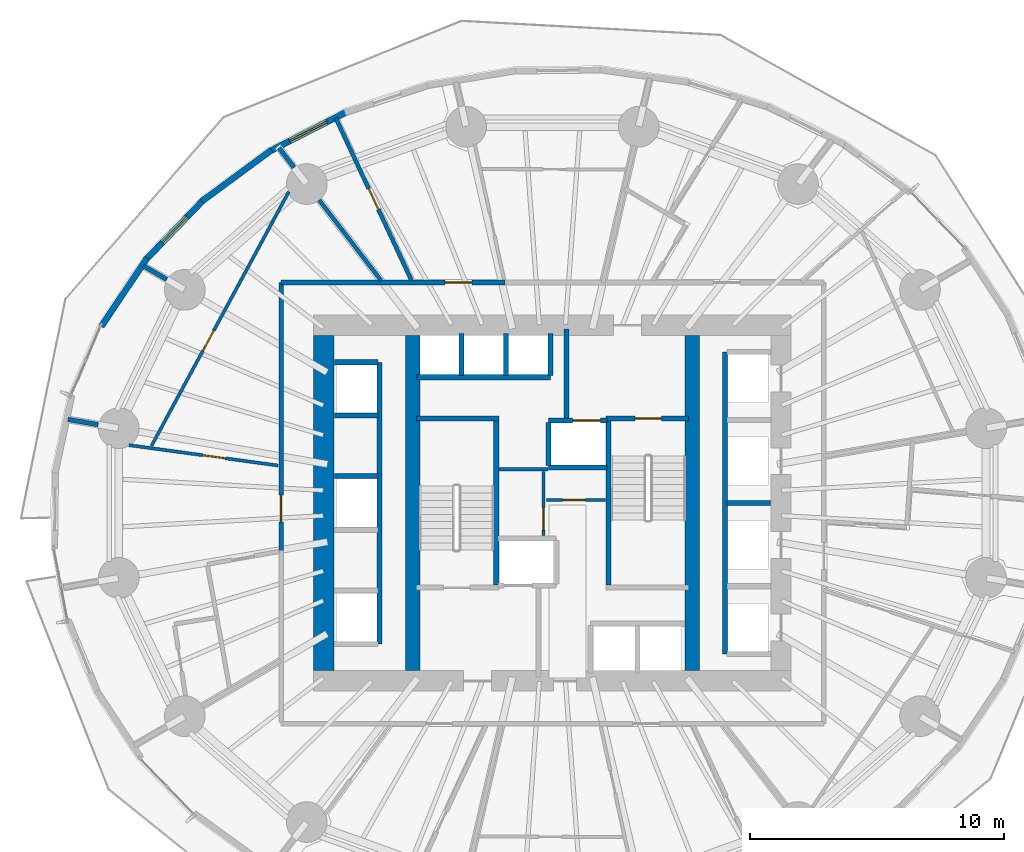
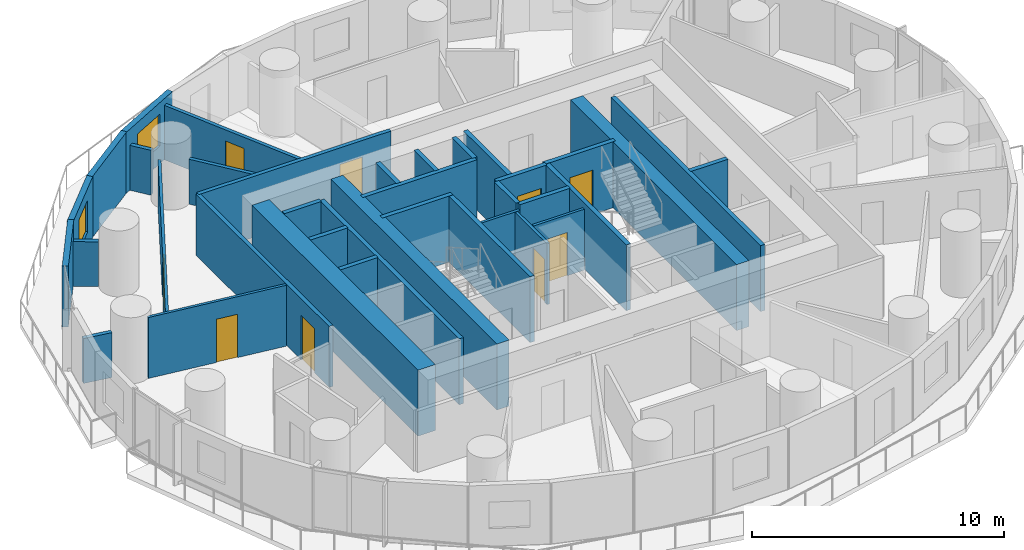
# One storey, part 8 of 14: 37 walls, 9 doors, 2 windows, 11 openings.
"""IFC4 building model written with IfcOpenShell, lengths in metres."""

import ifcopenshell
import ifcopenshell.guid

model = None  # the IFC model being written
_history = None  # IfcOwnerHistory: only IFC2X3 demands one
_inside = {}  # id of a spatial element -> (the spatial element, [elements in it])
_under = {}  # id of a project, library or spatial element -> (it, [spatial elements below it])
_declared = {}  # id of a project -> (the project, [libraries it declares])
_typed = {}  # id of a type object -> (the type object, [elements of that type])
_made_of = {}  # id of a material, layer set ... -> (it, [elements and type objects made of it])


def new_model(schema):
    """Start an empty IFC model of exactly this schema.

    Asked for "IFC4X3", IfcOpenShell would pick the latest addendum, in which some entities
    have other attributes; the version numbers below select the first issue.
    IFC2X3 requires an IfcOwnerHistory on every rooted entity: one is made here for all.
    """
    global model, _history
    if schema == "IFC4X3":
        model = ifcopenshell.file(schema_version=(4, 3, 0, 0))
    else:
        model = ifcopenshell.file(schema=schema)
    _inside.clear()
    _under.clear()
    _declared.clear()
    _typed.clear()
    _made_of.clear()
    _history = None
    if model.schema == "IFC2X3":
        org = make("IfcOrganization", Name="unknown")
        user = make(
            "IfcPersonAndOrganization",
            ThePerson=make("IfcPerson", FamilyName="unknown"),
            TheOrganization=org,
        )
        app = make(
            "IfcApplication",
            ApplicationDeveloper=org,
            Version="unknown",
            ApplicationFullName="unknown",
            ApplicationIdentifier="unknown",
        )
        _history = make(
            "IfcOwnerHistory",
            OwningUser=user,
            OwningApplication=app,
            ChangeAction="ADDED",
            CreationDate=0,
        )
    return model


def make(cls, **values):
    """One entity of the class cls with the attributes given. An attribute that is None is left unset."""
    return model.create_entity(
        cls, **{name: value for name, value in values.items() if value is not None}
    )


def rooted(cls, **values):
    """An entity with a GlobalId (a new one), such as an element, a storey or a relation."""
    return make(cls, GlobalId=ifcopenshell.guid.new(), OwnerHistory=_history, **values)


def si_unit(unit_type, name, prefix=None):
    """IfcSIUnit, for example si_unit("LENGTHUNIT", "METRE", prefix="MILLI")."""
    return make("IfcSIUnit", UnitType=unit_type, Prefix=prefix, Name=name)


def assignment(units):
    """IfcUnitAssignment: the units of a project."""
    return None if units is None else make("IfcUnitAssignment", Units=units)


def point(xyz):
    """IfcCartesianPoint."""
    return None if xyz is None else make("IfcCartesianPoint", Coordinates=xyz)


def direction(xyz):
    """IfcDirection."""
    return None if xyz is None else make("IfcDirection", DirectionRatios=xyz)


def frame(location, z_axis=None, x_axis=None):
    """IfcAxis2Placement3D, a coordinate frame: its origin and axes. An axis left out is left unset."""
    return make(
        "IfcAxis2Placement3D",
        Location=point(location),
        Axis=direction(z_axis),
        RefDirection=direction(x_axis),
    )


def frame_2d(location, x_axis=None):
    """IfcAxis2Placement2D, a coordinate frame in the plane: its origin and x axis."""
    return make(
        "IfcAxis2Placement2D", Location=point(location), RefDirection=direction(x_axis)
    )


def origin():
    """The frame at (0, 0, 0) with its axes left unset."""
    return frame((0.0, 0.0, 0.0))


def place(relative_to, where):
    """IfcLocalPlacement: puts the frame where relative to a parent placement (None: the world)."""
    return make(
        "IfcLocalPlacement", PlacementRelTo=relative_to, RelativePlacement=where
    )


def context(
    kind, dimensions, precision=None, world=None, true_north=None, identifier=None
):
    """IfcGeometricRepresentationContext, for example the 3D "Model" context."""
    return make(
        "IfcGeometricRepresentationContext",
        ContextIdentifier=identifier,
        ContextType=kind,
        CoordinateSpaceDimension=dimensions,
        Precision=precision,
        WorldCoordinateSystem=world,
        TrueNorth=true_north,
    )


def subcontext(parent, identifier, kind, view, scale=None):
    """IfcGeometricRepresentationSubContext, for example "Body" below "Model"."""
    return make(
        "IfcGeometricRepresentationSubContext",
        ContextIdentifier=identifier,
        ContextType=kind,
        ParentContext=parent,
        TargetScale=scale,
        TargetView=view,
    )


def project(units=None, contexts=None):
    """IfcProject with its units and contexts."""
    return rooted(
        "IfcProject",
        Name="project",
        RepresentationContexts=contexts,
        UnitsInContext=assignment(units),
    )


def spatial(cls, under=None, at=None, **own):
    """A site, building, storey or space (cls), placed at a placement, below another one or the project."""
    s = rooted(cls, ObjectPlacement=at, **own)
    if under is not None:
        _under.setdefault(under.id(), (under, []))[1].append(s)
    return s


def profile(cls, at=None, kind="AREA", **sizes):
    """A parametric profile (cls). Its sizes go by their IFC names, for example OverallWidth=200.0."""
    return make(cls, ProfileType=kind, Position=at, **sizes)


def rectangle(**sizes):
    """IfcRectangleProfileDef."""
    return profile("IfcRectangleProfileDef", **sizes)


def extrude(swept, where, along, depth):
    """IfcExtrudedAreaSolid: the profile swept, set in the frame where, extruded along a direction by depth."""
    return make(
        "IfcExtrudedAreaSolid",
        SweptArea=swept,
        Position=where,
        ExtrudedDirection=direction(along),
        Depth=depth,
    )


def shape(context_of_items, identifier, shape_type, items):
    """IfcShapeRepresentation: the items that make up one representation, for example the "Body"."""
    return make(
        "IfcShapeRepresentation",
        ContextOfItems=context_of_items,
        RepresentationIdentifier=identifier,
        RepresentationType=shape_type,
        Items=items,
    )


def material(Name=None, Category=None):
    """IfcMaterial."""
    return make("IfcMaterial", Name=Name, Category=Category)


def layer(
    of_material, thickness, ventilated=None, Name=None, Category=None, Priority=None
):
    """IfcMaterialLayer: one layer of a wall or slab, of a material (None: an air gap)."""
    return make(
        "IfcMaterialLayer",
        Material=of_material,
        LayerThickness=thickness,
        IsVentilated=ventilated,
        Name=Name,
        Category=Category,
        Priority=Priority,
    )


def layer_set(layers, Name=None):
    """IfcMaterialLayerSet."""
    return make("IfcMaterialLayerSet", MaterialLayers=layers, LayerSetName=Name)


def made_of(thing, what):
    """Note that an element or type object is made of a material, layer set ...; save() writes the relation."""
    if what is not None:
        _made_of.setdefault(what.id(), (what, []))[1].append(thing)
    return thing


def type_object(cls, material=None, **own):
    """A type object (cls), such as IfcWallType, which elements share."""
    return made_of(rooted(cls, **own), material)


def element(
    cls,
    number,
    at=None,
    inside=None,
    cuts=None,
    type_object=None,
    material=None,
    context=None,
    identifier="Body",
    shape_type=None,
    held_by="IfcProductDefinitionShape",
    body=None,
    shapes=None,
    **own,
):
    """One element of the class cls, such as IfcWall. Its Tag is "e" and its number.

    at: its placement. inside: the storey or other place that contains it. cuts: it is an
    opening in that element (IfcRelVoidsElement). A single representation is given by context,
    identifier, shape_type and body (its items); several are given by shapes. held_by: the class
    of the entity that holds the representations. save() writes the other relations.
    """
    e = rooted(cls, Tag="e%d" % number, ObjectPlacement=at, **own)
    if body is not None:
        shapes = [shape(context, identifier, shape_type, body)]
    if shapes is not None:
        e.Representation = make(held_by, Representations=shapes)
    if inside is not None:
        _inside.setdefault(inside.id(), (inside, []))[1].append(e)
    if cuts is not None:
        rooted(
            "IfcRelVoidsElement", RelatingBuildingElement=cuts, RelatedOpeningElement=e
        )
    if type_object is not None:
        _typed.setdefault(type_object.id(), (type_object, []))[1].append(e)
    return made_of(e, material)


def fill(opening, filler):
    """IfcRelFillsElement: the door or window that sits in an opening."""
    return rooted(
        "IfcRelFillsElement",
        RelatingOpeningElement=opening,
        RelatedBuildingElement=filler,
    )


def aggregate(whole, parts):
    """IfcRelAggregates: a whole, such as a stair, and the parts it consists of."""
    return rooted("IfcRelAggregates", RelatingObject=whole, RelatedObjects=parts)


def save(model, path):
    """Write the relations noted so far, then the file.

    IfcRelAggregates (storeys below a building ...), IfcRelContainedInSpatialStructure (elements
    in a storey), IfcRelDefinesByType, IfcRelAssociatesMaterial and IfcRelDeclares: one each for
    every whole, place, type object, material and project.
    """
    for whole, parts in _under.values():
        aggregate(whole, parts)
    for where, things in _inside.values():
        rooted(
            "IfcRelContainedInSpatialStructure",
            RelatedElements=things,
            RelatingStructure=where,
        )
    for kind, things in _typed.values():
        rooted("IfcRelDefinesByType", RelatedObjects=things, RelatingType=kind)
    for what, things in _made_of.values():
        rooted("IfcRelAssociatesMaterial", RelatedObjects=things, RelatingMaterial=what)
    for by, libraries in _declared.values():
        rooted("IfcRelDeclares", RelatingContext=by, RelatedDefinitions=libraries)
    model.write(path)


model = new_model("IFC4")

# Units and contexts
model_context = context("Model", 3, precision=1e-05, world=origin(), true_north=direction((0.0, 1.0)))
body_context = subcontext(model_context, "Body", "Model", "MODEL_VIEW")
ifc_project = project(units=[si_unit("LENGTHUNIT", "METRE"), si_unit("AREAUNIT", "SQUARE_METRE"), si_unit("VOLUMEUNIT", "CUBIC_METRE"), si_unit("PLANEANGLEUNIT", "RADIAN"), si_unit("MASSUNIT", "GRAM", prefix="KILO")], contexts=[model_context])

# Site, building, storey
site_placement = place(None, origin())
site = spatial("IfcSite", under=ifc_project, at=site_placement, CompositionType="ELEMENT")
building_placement = place(site_placement, origin())
building = spatial("IfcBuilding", under=site, at=building_placement, Name="Veldorim Arch Residences", CompositionType="ELEMENT")
storey_placement = place(building_placement, frame((0.0, 0.0, 28.0)))
storey = spatial("IfcBuildingStorey", under=building, at=storey_placement, Name="L07", CompositionType="ELEMENT", Elevation=28.0)

# Wall, opening, door
ifc_material_1 = material(Name="Acoustic Gypsum Board", Category="gypsum")
ifc_layer_1 = layer(ifc_material_1, 0.125, Name="Acoustic Stud Room Partition Wall 125")
ifc_layer_set_1 = layer_set([ifc_layer_1], Name="Acoustic Gypsum Board")
wall_type_1 = type_object("IfcWallType", Name="Acoustic Stud Room Partition Wall 125", PredefinedType="PARTITIONING", material=ifc_layer_set_1)
wall_1_placement = place(storey_placement, frame((31.64990234375, 22.719970703125, 0.0), z_axis=(0.0, 0.0, 1.0), x_axis=(0.0, 1.0, 0.0)))
wall_1 = element("IfcWall", 1, at=wall_1_placement, inside=storey, type_object=wall_type_1, Name="L07 interior wall WL-CA-L07-1", PredefinedType="PARTITIONING", context=body_context, shape_type="SweptSolid", body=[
    extrude(rectangle(XDim=2.52001953125, YDim=0.125, at=frame_2d((1.260009765625, 0.0))), origin(), (0.0, 0.0, 1.0), 2.955078125),
])
opening_1_placement = place(wall_1_placement, frame((0.2099609375, 0.0, 0.0)))
opening_1 = element("IfcOpeningElement", 2, at=opening_1_placement, cuts=wall_1, Name="Opening DR-SVC", PredefinedType="OPENING", context=body_context, shape_type="SweptSolid", body=[
    extrude(rectangle(XDim=0.89990234375, YDim=2.10009765625, at=frame_2d((0.449951171875, 1.050048828125))), frame((0.0, 0.072509765625, 0.0), z_axis=(0.0, -1.0, 0.0), x_axis=(1.0, 0.0, 0.0)), (0.0, 0.0, 1.0), 0.14501953125),
])
ifc_material_2 = material(Name="Fire-Rated Steel", Category="steel")
door_type_1 = type_object("IfcDoorType", Name="Riser, Shelter & Plant Room Rated Steel Door 900x2100", OperationType="SINGLE_SWING_LEFT", PredefinedType="DOOR", material=ifc_material_2)
door_1_placement = place(opening_1_placement, origin())
door_1 = element("IfcDoor", 3, at=door_1_placement, inside=storey, type_object=door_type_1, Name="L07 interior door DR-L07-CA1", OperationType="SINGLE_SWING_LEFT", OverallHeight=2.10009765625, OverallWidth=0.89990234375, PredefinedType="DOOR", context=body_context, shape_type="SweptSolid", body=[
    extrude(rectangle(XDim=0.89990234375, YDim=2.10009765625, at=frame_2d((0.449951171875, 1.050048828125))), frame((0.0, 0.02490234375, 0.0), z_axis=(0.0, -1.0, 0.0), x_axis=(1.0, 0.0, 0.0)), (0.0, 0.0, 1.0), 0.050048828125),
])
fill(opening_1, door_1)

wall_2_placement = place(storey_placement, frame((31.760009765625, 24.1201171875, 0.0), z_axis=(0.0, 0.0, 1.0), x_axis=(1.0, 0.0, 0.0)))
wall_2 = element("IfcWall", 4, at=wall_2_placement, inside=storey, type_object=wall_type_1, Name="L07 interior wall WL-CA-L07-2", PredefinedType="PARTITIONING", context=body_context, shape_type="SweptSolid", body=[
    extrude(rectangle(XDim=2.320068359375, YDim=0.125, at=frame_2d((1.16015625, 0.0))), origin(), (0.0, 0.0, 1.0), 2.955078125),
])
opening_2_placement = place(wall_2_placement, frame((0.639892578125, 0.0, 0.0)))
opening_2 = element("IfcOpeningElement", 5, at=opening_2_placement, cuts=wall_2, Name="Opening DR-SVC", PredefinedType="OPENING", context=body_context, shape_type="SweptSolid", body=[
    extrude(rectangle(XDim=0.89990234375, YDim=2.10009765625, at=frame_2d((0.449951171875, 1.050048828125))), frame((0.0, 0.072509765625, 0.0), z_axis=(0.0, -1.0, 0.0), x_axis=(1.0, 0.0, 0.0)), (0.0, 0.0, 1.0), 0.14501953125),
])
door_2_placement = place(opening_2_placement, origin())
door_2 = element("IfcDoor", 6, at=door_2_placement, inside=storey, type_object=door_type_1, Name="L07 interior door DR-L07-CA2", OperationType="SINGLE_SWING_RIGHT", OverallHeight=2.10009765625, OverallWidth=0.89990234375, PredefinedType="DOOR", context=body_context, shape_type="SweptSolid", body=[
    extrude(rectangle(XDim=0.89990234375, YDim=2.10009765625, at=frame_2d((0.449951171875, 1.050048828125))), frame((0.0, 0.02490234375, 0.0), z_axis=(0.0, -1.0, 0.0), x_axis=(1.0, 0.0, 0.0)), (0.0, 0.0, 1.0), 0.050048828125),
])
fill(opening_2, door_2)

# Wall
wall_3_placement = place(storey_placement, frame((29.889892578125, 25.330078125, 0.0), z_axis=(0.0, 0.0, 1.0), x_axis=(1.0, 0.0, 0.0)))
element("IfcWall", 7, at=wall_3_placement, inside=storey, type_object=wall_type_1, Name="L07 interior wall WL-CA-L07-N", PredefinedType="PARTITIONING", context=body_context, shape_type="SweptSolid", body=[
    extrude(rectangle(XDim=1.940185546875, YDim=0.125, at=frame_2d((0.97021484375, 0.0))), origin(), (0.0, 0.0, 1.0), 2.955078125),
])

# Wall, opening, door
wall_4_placement = place(storey_placement, frame((15.330322265625, 26.280029296875, 0.0), z_axis=(0.0, 0.0, 1.0), x_axis=(0.990775681502, -0.135512172681, 0.0)))
wall_4 = element("IfcWall", 8, at=wall_4_placement, inside=storey, type_object=wall_type_1, Name="L07 interior wall WL-RES-L07-034", PredefinedType="PARTITIONING", context=body_context, shape_type="SweptSolid", body=[
    extrude(rectangle(XDim=5.925537109375, YDim=0.125, at=frame_2d((2.962890625, 0.0))), origin(), (0.0, 0.0, 1.0), 2.955078125),
])
opening_3_placement = place(wall_4_placement, frame((2.928955078125, 0.0, 0.0)))
opening_3 = element("IfcOpeningElement", 9, at=opening_3_placement, cuts=wall_4, Name="Opening DR-INT", PredefinedType="OPENING", context=body_context, shape_type="SweptSolid", body=[
    extrude(rectangle(XDim=0.89990234375, YDim=2.10009765625, at=frame_2d((0.449951171875, 1.050048828125))), frame((0.0, 0.072509765625, 0.0), z_axis=(0.0, -1.0, 0.0), x_axis=(1.0, 0.0, 0.0)), (0.0, 0.0, 1.0), 0.14501953125),
])
ifc_material_3 = material(Name="Engineered Timber", Category="wood")
door_type_2 = type_object("IfcDoorType", Name="Apartment Internal Room Timber Door 900x2100", OperationType="SINGLE_SWING_LEFT", PredefinedType="DOOR", material=ifc_material_3)
door_3_placement = place(opening_3_placement, origin())
door_3 = element("IfcDoor", 10, at=door_3_placement, inside=storey, type_object=door_type_2, Name="L07 interior door DR-RES-L07-024", OperationType="SINGLE_SWING_RIGHT", OverallHeight=2.10009765625, OverallWidth=0.89990234375, PredefinedType="DOOR", context=body_context, shape_type="SweptSolid", body=[
    extrude(rectangle(XDim=0.89990234375, YDim=2.10009765625, at=frame_2d((0.449951171875, 1.050048828125))), frame((0.0, 0.02490234375, 0.0), z_axis=(0.0, -1.0, 0.0), x_axis=(1.0, 0.0, 0.0)), (0.0, 0.0, 1.0), 0.050048828125),
])
fill(opening_3, door_3)

wall_5_placement = place(storey_placement, frame((16.22216796875, 26.25244140625, 0.0), z_axis=(0.0, 0.0, 1.0), x_axis=(0.475374660533, 0.879783457519, 0.0)))
wall_5 = element("IfcWall", 11, at=wall_5_placement, inside=storey, type_object=wall_type_1, Name="L07 interior wall WL-RES-L07-037", PredefinedType="PARTITIONING", context=body_context, shape_type="SweptSolid", body=[
    extrude(rectangle(XDim=11.3701171875, YDim=0.125, at=frame_2d((5.68505859375, 0.0))), origin(), (0.0, 0.0, 1.0), 2.327880859375),
])
opening_4_placement = place(wall_5_placement, frame((4.2548828125, 0.0, 0.0)))
opening_4 = element("IfcOpeningElement", 12, at=opening_4_placement, cuts=wall_5, Name="Opening DR-INT", PredefinedType="OPENING", context=body_context, shape_type="SweptSolid", body=[
    extrude(rectangle(XDim=0.89990234375, YDim=2.10009765625, at=frame_2d((0.449951171875, 1.050048828125))), frame((0.0, 0.072509765625, 0.0), z_axis=(0.0, -1.0, 0.0), x_axis=(1.0, 0.0, 0.0)), (0.0, 0.0, 1.0), 0.14501953125),
])
door_4_placement = place(opening_4_placement, origin())
door_4 = element("IfcDoor", 13, at=door_4_placement, inside=storey, type_object=door_type_2, Name="L07 interior door DR-RES-L07-025", OperationType="SINGLE_SWING_LEFT", OverallHeight=2.10009765625, OverallWidth=0.89990234375, PredefinedType="DOOR", context=body_context, shape_type="SweptSolid", body=[
    extrude(rectangle(XDim=0.89990234375, YDim=2.10009765625, at=frame_2d((0.449951171875, 1.050048828125))), frame((0.0, 0.02490234375, 0.0), z_axis=(0.0, -1.0, 0.0), x_axis=(1.0, 0.0, 0.0)), (0.0, 0.0, 1.0), 0.050048828125),
])
fill(opening_4, door_4)

# Walls
ifc_material_4 = material(Name="Lightweight Masonry Block & Gypsum", Category="masonry")
ifc_layer_2 = layer(ifc_material_4, 0.179931640625, Name="Compartment & Corridor Fire-Rated Party Wall 180")
ifc_layer_set_2 = layer_set([ifc_layer_2], Name="Lightweight Masonry Block & Gypsum")
wall_type_2 = type_object("IfcWallType", Name="Compartment & Corridor Fire-Rated Party Wall 180", PredefinedType="PARTITIONING", material=ifc_layer_set_2)
wall_6_placement = place(storey_placement, frame((21.832763671875, 37.204833984375, 0.0), z_axis=(0.0, 0.0, 1.0), x_axis=(-0.609953343804, 0.792437327732, 0.0)))
element("IfcWall", 14, at=wall_6_placement, inside=storey, type_object=wall_type_2, Name="L07 interior wall WL-PIER-L07-06", PredefinedType="PARTITIONING", context=body_context, shape_type="SweptSolid", body=[
    extrude(rectangle(XDim=0.97265625, YDim=0.179931640625, at=frame_2d((0.486328125, 0.0))), origin(), (0.0, 0.0, 1.0), 2.17822265625),
])
wall_7_placement = place(storey_placement, frame((16.822998046875, 32.80029296875, 0.0), z_axis=(0.0, 0.0, 1.0), x_axis=(-0.865001274409, 0.501769663562, 0.0)))
element("IfcWall", 15, at=wall_7_placement, inside=storey, type_object=wall_type_2, Name="L07 interior wall WL-PIER-L07-07", PredefinedType="PARTITIONING", context=body_context, shape_type="SweptSolid", body=[
    extrude(rectangle(XDim=1.062744140625, YDim=0.179931640625, at=frame_2d((0.53125, 0.0))), origin(), (0.0, 0.0, 1.0), 2.17822265625),
])
wall_8_placement = place(storey_placement, frame((14.126220703125, 27.08544921875, 0.0), z_axis=(0.0, 0.0, 1.0), x_axis=(-0.985412344637, 0.170183756676, 0.0)))
element("IfcWall", 16, at=wall_8_placement, inside=storey, type_object=wall_type_2, Name="L07 interior wall WL-PIER-L07-08", PredefinedType="PARTITIONING", context=body_context, shape_type="SweptSolid", body=[
    extrude(rectangle(XDim=1.210693359375, YDim=0.179931640625, at=frame_2d((0.60546875, 0.0))), origin(), (0.0, 0.0, 1.0), 2.17822265625),
])

# Wall, opening, door
wall_9_placement = place(storey_placement, frame((21.320068359375, 32.679931640625, 0.0), z_axis=(0.0, 0.0, 1.0), x_axis=(1.0, 0.0, 0.0)))
wall_9 = element("IfcWall", 17, at=wall_9_placement, inside=storey, type_object=wall_type_2, Name="L07 interior wall WL-RES-L07-006", PredefinedType="PARTITIONING", context=body_context, shape_type="SweptSolid", body=[
    extrude(rectangle(XDim=8.822509765625, YDim=0.179931640625, at=frame_2d((4.4111328125, 0.0))), origin(), (0.0, 0.0, 1.0), 2.955078125),
])
opening_5_placement = place(wall_9_placement, frame((6.461669921875, 0.0, 0.0)))
opening_5 = element("IfcOpeningElement", 18, at=opening_5_placement, cuts=wall_9, Name="Opening DR-FLT", PredefinedType="OPENING", context=body_context, shape_type="SweptSolid", body=[
    extrude(rectangle(XDim=1.050048828125, YDim=2.14990234375, at=frame_2d((0.52490234375, 1.074951171875))), frame((0.0, 0.099853515625, 0.0), z_axis=(0.0, -1.0, 0.0), x_axis=(1.0, 0.0, 0.0)), (0.0, 0.0, 1.0), 0.199951171875),
])
ifc_material_5 = material(Name="Fire-Rated Timber", Category="wood")
door_type_3 = type_object("IfcDoorType", Name="Apartment Entrance Solid-Core Fire Door 1050x2150", OperationType="SINGLE_SWING_LEFT", PredefinedType="DOOR", material=ifc_material_5)
door_5_placement = place(opening_5_placement, origin())
door_5 = element("IfcDoor", 19, at=door_5_placement, inside=storey, type_object=door_type_3, Name="L07 interior door DR-RES-L07-018", OperationType="SINGLE_SWING_RIGHT", OverallHeight=2.14990234375, OverallWidth=1.050048828125, PredefinedType="DOOR", context=body_context, shape_type="SweptSolid", body=[
    extrude(rectangle(XDim=1.050048828125, YDim=2.14990234375, at=frame_2d((0.52490234375, 1.074951171875))), frame((0.0, 0.02490234375, 0.0), z_axis=(0.0, -1.0, 0.0), x_axis=(1.0, 0.0, 0.0)), (0.0, 0.0, 1.0), 0.050048828125),
])
fill(opening_5, door_5)

wall_10_placement = place(storey_placement, frame((21.320068359375, 22.090087890625, 0.0), z_axis=(0.0, 0.0, 1.0), x_axis=(0.0, 1.0, 0.0)))
wall_10 = element("IfcWall", 20, at=wall_10_placement, inside=storey, type_object=wall_type_2, Name="L07 interior wall WL-RES-L07-007", PredefinedType="PARTITIONING", context=body_context, shape_type="SweptSolid", body=[
    extrude(rectangle(XDim=10.58984375, YDim=0.179931640625, at=frame_2d((5.294921875, 0.0))), origin(), (0.0, 0.0, 1.0), 2.955078125),
])
opening_6_placement = place(wall_10_placement, frame((1.17041015625, 0.0, 0.0)))
opening_6 = element("IfcOpeningElement", 21, at=opening_6_placement, cuts=wall_10, Name="Opening DR-FLT", PredefinedType="OPENING", context=body_context, shape_type="SweptSolid", body=[
    extrude(rectangle(XDim=1.050048828125, YDim=2.14990234375, at=frame_2d((0.52490234375, 1.074951171875))), frame((0.0, 0.099853515625, 0.0), z_axis=(0.0, -1.0, 0.0), x_axis=(1.0, 0.0, 0.0)), (0.0, 0.0, 1.0), 0.199951171875),
])
door_6_placement = place(opening_6_placement, origin())
door_6 = element("IfcDoor", 22, at=door_6_placement, inside=storey, type_object=door_type_3, Name="L07 interior door DR-RES-L07-022", OperationType="SINGLE_SWING_RIGHT", OverallHeight=2.14990234375, OverallWidth=1.050048828125, PredefinedType="DOOR", context=body_context, shape_type="SweptSolid", body=[
    extrude(rectangle(XDim=1.050048828125, YDim=2.14990234375, at=frame_2d((0.52490234375, 1.074951171875))), frame((0.0, 0.02490234375, 0.0), z_axis=(0.0, -1.0, 0.0), x_axis=(1.0, 0.0, 0.0)), (0.0, 0.0, 1.0), 0.050048828125),
])
fill(opening_6, door_6)

# Walls
ifc_material_6 = material(Name="Concrete C50/60", Category="concrete")
ifc_layer_3 = layer(ifc_material_6, 0.199951171875, Name="Core Stair & Lift Shaft Enclosure Wall 200")
ifc_layer_set_3 = layer_set([ifc_layer_3], Name="Concrete C50/60")
wall_type_3 = type_object("IfcWallType", Name="Core Stair & Lift Shaft Enclosure Wall 200", PredefinedType="SHEAR", material=ifc_layer_set_3)
wall_11_placement = place(storey_placement, frame((29.7900390625, 20.780029296875, 0.0), z_axis=(0.0, 0.0, 1.0), x_axis=(0.0, 1.0, 0.0)))
element("IfcWall", 23, at=wall_11_placement, inside=storey, type_object=wall_type_3, Name="L07 shaft wall WL-SHF-L07-ST1-E", PredefinedType="SHEAR", context=body_context, shape_type="SweptSolid", body=[
    extrude(rectangle(XDim=6.43994140625, YDim=0.199951171875, at=frame_2d((3.219970703125, 0.0))), origin(), (0.0, 0.0, 1.0), 3.199951171875),
])
wall_12_placement = place(storey_placement, frame((26.64990234375, 27.330078125, 0.0), z_axis=(0.0, 0.0, 1.0), x_axis=(1.0, 0.0, 0.0)))
element("IfcWall", 24, at=wall_12_placement, inside=storey, type_object=wall_type_3, Name="L07 shaft wall WL-SHF-L07-ST1-N", PredefinedType="SHEAR", context=body_context, shape_type="SweptSolid", body=[
    extrude(rectangle(XDim=3.239990234375, YDim=0.199951171875, at=frame_2d((1.6201171875, 0.0))), origin(), (0.0, 0.0, 1.0), 3.199951171875),
])
wall_13_placement = place(storey_placement, frame((34.2099609375, 20.780029296875, 0.0), z_axis=(0.0, 0.0, 1.0), x_axis=(0.0, 1.0, 0.0)))
element("IfcWall", 25, at=wall_13_placement, inside=storey, type_object=wall_type_3, Name="L07 shaft wall WL-SHF-L07-ST2-W", PredefinedType="SHEAR", context=body_context, shape_type="SweptSolid", body=[
    extrude(rectangle(XDim=6.43994140625, YDim=0.199951171875, at=frame_2d((3.219970703125, 0.0))), origin(), (0.0, 0.0, 1.0), 3.199951171875),
])

# Wall, opening, door
wall_14_placement = place(storey_placement, frame((34.110107421875, 27.330078125, 0.0), z_axis=(0.0, 0.0, 1.0), x_axis=(1.0, 0.0, 0.0)))
wall_14 = element("IfcWall", 26, at=wall_14_placement, inside=storey, type_object=wall_type_3, Name="L07 shaft wall WL-SHF-L07-ST2-N", PredefinedType="SHEAR", context=body_context, shape_type="SweptSolid", body=[
    extrude(rectangle(XDim=3.239990234375, YDim=0.199951171875, at=frame_2d((1.6201171875, 0.0))), origin(), (0.0, 0.0, 1.0), 3.199951171875),
])
opening_7_placement = place(wall_14_placement, frame((1.135009765625, 0.0, 0.0)))
opening_7 = element("IfcOpeningElement", 27, at=opening_7_placement, cuts=wall_14, Name="Opening DR-ST", PredefinedType="OPENING", context=body_context, shape_type="SweptSolid", body=[
    extrude(rectangle(XDim=1.050048828125, YDim=2.14990234375, at=frame_2d((0.52490234375, 1.074951171875))), frame((0.0, 0.10986328125, 0.0), z_axis=(0.0, -1.0, 0.0), x_axis=(1.0, 0.0, 0.0)), (0.0, 0.0, 1.0), 0.219970703125),
])
ifc_material_7 = material(Name="Fire-Rated Steel", Category="steel")
door_type_4 = type_object("IfcDoorType", Name="Exit Staircase Self-Closing Fire Door 1050x2150", OperationType="SINGLE_SWING_LEFT", PredefinedType="DOOR", material=ifc_material_7)
door_7_placement = place(opening_7_placement, origin())
door_7 = element("IfcDoor", 28, at=door_7_placement, inside=storey, type_object=door_type_4, Name="L07 interior door DR-L07-ST2", OperationType="SINGLE_SWING_RIGHT", OverallHeight=2.14990234375, OverallWidth=1.050048828125, PredefinedType="DOOR", context=body_context, shape_type="SweptSolid", body=[
    extrude(rectangle(XDim=1.050048828125, YDim=2.14990234375, at=frame_2d((0.52490234375, 1.074951171875))), frame((0.0, 0.02490234375, 0.0), z_axis=(0.0, -1.0, 0.0), x_axis=(1.0, 0.0, 0.0)), (0.0, 0.0, 1.0), 0.050048828125),
])
fill(opening_7, door_7)

# Wall
wall_15_placement = place(storey_placement, frame((32.550048828125, 27.35009765625, 0.0), z_axis=(0.0, 0.0, 1.0), x_axis=(0.0, 1.0, 0.0)))
element("IfcWall", 29, at=wall_15_placement, inside=storey, type_object=wall_type_3, Name="L07 shaft wall WL-FFL2-L07-W", PredefinedType="SHEAR", context=body_context, shape_type="SweptSolid", body=[
    extrude(rectangle(XDim=3.5, YDim=0.199951171875, at=frame_2d((1.75, 0.0))), origin(), (0.0, 0.0, 1.0), 3.199951171875),
])

# Wall, opening, door
wall_16_placement = place(storey_placement, frame((31.85009765625, 27.25, 0.0), z_axis=(0.0, 0.0, 1.0), x_axis=(1.0, 0.0, 0.0)))
wall_16 = element("IfcWall", 30, at=wall_16_placement, inside=storey, type_object=wall_type_3, Name="L07 shaft wall WL-FL02-L07-N", PredefinedType="SHEAR", context=body_context, shape_type="SweptSolid", body=[
    extrude(rectangle(XDim=2.2998046875, YDim=0.199951171875, at=frame_2d((1.14990234375, 0.0))), origin(), (0.0, 0.0, 1.0), 3.199951171875),
])
opening_8_placement = place(wall_16_placement, frame((0.949951171875, 0.0, 0.0)))
opening_8 = element("IfcOpeningElement", 31, at=opening_8_placement, cuts=wall_16, Name="Opening LD-FF", PredefinedType="OPENING", context=body_context, shape_type="SweptSolid", body=[
    extrude(rectangle(XDim=1.10009765625, YDim=2.14990234375, at=frame_2d((0.550048828125, 1.074951171875))), frame((0.0, 0.10986328125, 0.0), z_axis=(0.0, -1.0, 0.0), x_axis=(1.0, 0.0, 0.0)), (0.0, 0.0, 1.0), 0.219970703125),
])
ifc_material_8 = material(Name="Stainless Steel", Category="steel")
door_type_5 = type_object("IfcDoorType", Name="Firefighting Lift Bi-Parting Sliding Landing Door 1100x2150", OperationType="DOUBLE_DOOR_SLIDING", PredefinedType="DOOR", material=ifc_material_8)
door_8_placement = place(opening_8_placement, origin())
door_8 = element("IfcDoor", 32, at=door_8_placement, inside=storey, type_object=door_type_5, Name="L07 lift landing door LD-L07-FL02", OperationType="DOUBLE_DOOR_SLIDING", OverallHeight=2.14990234375, OverallWidth=1.10009765625, PredefinedType="DOOR", context=body_context, shape_type="SweptSolid", body=[
    extrude(rectangle(XDim=1.10009765625, YDim=2.14990234375, at=frame_2d((0.550048828125, 1.074951171875))), frame((0.0, 0.02490234375, 0.0), z_axis=(0.0, -1.0, 0.0), x_axis=(1.0, 0.0, 0.0)), (0.0, 0.0, 1.0), 0.050048828125),
])
fill(opening_8, door_8)

# Walls
wall_17_placement = place(storey_placement, frame((31.85009765625, 25.39990234375, 0.0), z_axis=(0.0, 0.0, 1.0), x_axis=(1.0, 0.0, 0.0)))
element("IfcWall", 33, at=wall_17_placement, inside=storey, type_object=wall_type_3, Name="L07 shaft wall WL-FL02-L07-S", PredefinedType="SHEAR", context=body_context, shape_type="SweptSolid", body=[
    extrude(rectangle(XDim=2.2998046875, YDim=0.199951171875, at=frame_2d((1.14990234375, 0.0))), origin(), (0.0, 0.0, 1.0), 3.199951171875),
])
wall_18_placement = place(storey_placement, frame((31.85009765625, 25.469970703125, 0.0), z_axis=(0.0, 0.0, 1.0), x_axis=(0.0, 1.0, 0.0)))
element("IfcWall", 34, at=wall_18_placement, inside=storey, type_object=wall_type_3, Name="L07 shaft wall WL-FL02-L07-W", PredefinedType="SHEAR", context=body_context, shape_type="SweptSolid", body=[
    extrude(rectangle(XDim=1.7099609375, YDim=0.199951171875, at=frame_2d((0.85498046875, 0.0))), origin(), (0.0, 0.0, 1.0), 3.199951171875),
])
wall_19_placement = place(storey_placement, frame((38.800048828125, 18.06005859375, 0.0), z_axis=(0.0, 0.0, 1.0), x_axis=(0.0, 1.0, 0.0)))
element("IfcWall", 35, at=wall_19_placement, inside=storey, type_object=wall_type_3, Name="L07 shaft wall WL-B1-L07-W", PredefinedType="SHEAR", context=body_context, shape_type="SweptSolid", body=[
    extrude(rectangle(XDim=11.8798828125, YDim=0.199951171875, at=frame_2d((5.93994140625, 0.0))), origin(), (0.0, 0.0, 1.0), 3.199951171875),
])
wall_20_placement = place(storey_placement, frame((38.8701171875, 24.0, 0.0), z_axis=(0.0, 0.0, 1.0), x_axis=(1.0, 0.0, 0.0)))
element("IfcWall", 36, at=wall_20_placement, inside=storey, type_object=wall_type_3, Name="L07 shaft wall WL-B1-L07-D2", PredefinedType="SHEAR", context=body_context, shape_type="SweptSolid", body=[
    extrude(rectangle(XDim=1.7099609375, YDim=0.199951171875, at=frame_2d((0.85498046875, 0.0))), origin(), (0.0, 0.0, 1.0), 3.199951171875),
])
wall_21_placement = place(storey_placement, frame((25.199951171875, 18.4599609375, 0.0), z_axis=(0.0, 0.0, 1.0), x_axis=(0.0, 1.0, 0.0)))
element("IfcWall", 37, at=wall_21_placement, inside=storey, type_object=wall_type_3, Name="L07 shaft wall WL-B2-L07-E", PredefinedType="SHEAR", context=body_context, shape_type="SweptSolid", body=[
    extrude(rectangle(XDim=11.080078125, YDim=0.199951171875, at=frame_2d((5.5400390625, 0.0))), origin(), (0.0, 0.0, 1.0), 3.199951171875),
])
for number, where, z_axis, x_axis, name in (
    (38, (23.419921875, 29.5400390625, 0.0), (0.0, 0.0, 1.0), (1.0, 0.0, 0.0), "L07 shaft wall WL-B2-L07-N"),
    (39, (23.419921875, 25.06005859375, 0.0), (0.0, 0.0, 1.0), (1.0, 0.0, 0.0), "L07 shaft wall WL-B2-L07-D2A"),
    (40, (23.419921875, 27.43994140625, 0.0), (0.0, 0.0, 1.0), (1.0, 0.0, 0.0), "L07 shaft wall WL-B2-L07-D2B"),
):
    element("IfcWall", number, at=place(storey_placement, frame(where, z_axis=z_axis, x_axis=x_axis)), inside=storey, type_object=wall_type_3, Name=name, PredefinedType="SHEAR", context=body_context, shape_type="SweptSolid", body=[
        extrude(rectangle(XDim=1.7099609375, YDim=0.199951171875, at=frame_2d((0.85498046875, 0.0))), origin(), (0.0, 0.0, 1.0), 3.199951171875),
    ])
wall_22_placement = place(storey_placement, frame((26.679931640625, 28.949951171875, 0.0), z_axis=(0.0, 0.0, 1.0), x_axis=(1.0, 0.0, 0.0)))
element("IfcWall", 41, at=wall_22_placement, inside=storey, type_object=wall_type_3, Name="L07 shaft wall WL-B3-L07-S", PredefinedType="SHEAR", context=body_context, shape_type="SweptSolid", body=[
    extrude(rectangle(XDim=5.239990234375, YDim=0.199951171875, at=frame_2d((2.6201171875, 0.0))), origin(), (0.0, 0.0, 1.0), 3.199951171875),
])
for number, where, z_axis, x_axis, name in (
    (42, (31.919921875, 29.02001953125, 0.0), (0.0, 0.0, 1.0), (0.0, 1.0, 0.0), "L07 shaft wall WL-B3-L07-E"),
    (43, (28.425048828125, 29.02001953125, 0.0), (0.0, 0.0, 1.0), (0.0, 1.0, 0.0), "L07 shaft wall WL-B3-L07-D1"),
    (44, (30.175048828125, 29.02001953125, 0.0), (0.0, 0.0, 1.0), (0.0, 1.0, 0.0), "L07 shaft wall WL-B3-L07-D2"),
):
    element("IfcWall", number, at=place(storey_placement, frame(where, z_axis=z_axis, x_axis=x_axis)), inside=storey, type_object=wall_type_3, Name=name, PredefinedType="SHEAR", context=body_context, shape_type="SweptSolid", body=[
        extrude(rectangle(XDim=1.659912109375, YDim=0.199951171875, at=frame_2d((0.830078125, 0.0))), origin(), (0.0, 0.0, 1.0), 3.199951171875),
    ])
ifc_material_9 = material(Name="Concrete C60/75", Category="concrete")
ifc_layer_4 = layer(ifc_material_9, 0.56005859375, Name="Internal Core Shear Web Wall 560")
ifc_layer_set_4 = layer_set([ifc_layer_4], Name="Concrete C60/75")
wall_type_4 = type_object("IfcWallType", Name="Internal Core Shear Web Wall 560", PredefinedType="SHEAR", material=ifc_layer_set_4)
for number, where, z_axis, x_axis, name in (
    (45, (26.5, 17.39990234375, 0.0), (0.0, 0.0, 1.0), (0.0, 1.0, 0.0), "L07 core west internal shear web"),
    (46, (37.5, 17.39990234375, 0.0), (0.0, 0.0, 1.0), (0.0, 1.0, 0.0), "L07 core east internal shear web"),
):
    element("IfcWall", number, at=place(storey_placement, frame(where, z_axis=z_axis, x_axis=x_axis)), inside=storey, type_object=wall_type_4, Name=name, PredefinedType="SHEAR", context=body_context, shape_type="SweptSolid", body=[
        extrude(rectangle(XDim=13.2001953125, YDim=0.56005859375, at=frame_2d((6.60009765625, 0.0))), origin(), (0.0, 0.0, 1.0), 3.199951171875),
    ])
ifc_material_10 = material(Name="Concrete C60/75", Category="concrete")
ifc_layer_5 = layer(ifc_material_10, 0.800048828125, Name="Lower Central Core Shear Wall 800")
ifc_layer_set_5 = layer_set([ifc_layer_5], Name="Concrete C60/75")
wall_type_5 = type_object("IfcWallType", Name="Lower Central Core Shear Wall 800", PredefinedType="SHEAR", material=ifc_layer_set_5)
wall_23_placement = place(storey_placement, frame((23.0, 17.39990234375, 0.0), z_axis=(0.0, 0.0, 1.0), x_axis=(0.0, 1.0, 0.0)))
element("IfcWall", 47, at=wall_23_placement, inside=storey, type_object=wall_type_5, Name="L07 central core west shear wall", PredefinedType="SHEAR", context=body_context, shape_type="SweptSolid", body=[
    extrude(rectangle(XDim=13.2001953125, YDim=0.800048828125, at=frame_2d((6.60009765625, 0.0))), origin(), (0.0, 0.0, 1.0), 3.199951171875),
])

# Wall, opening, window
ifc_material_11 = material(Name="Precast concrete C40/50", Category="concrete")
ifc_layer_6 = layer(ifc_material_11, 0.25, Name="Tower Terracotta Spandrel & Pier Wall 250")
ifc_layer_set_6 = layer_set([ifc_layer_6], Name="Precast concrete C40/50")
wall_type_6 = type_object("IfcWallType", Name="Tower Terracotta Spandrel & Pier Wall 250", PredefinedType="SOLIDWALL", material=ifc_layer_set_6)
wall_24_placement = place(storey_placement, frame((20.8466796875, 37.83642578125, 0.0), z_axis=(0.0, 0.0, 1.0), x_axis=(0.890260122421, 0.455452428281, 0.0)))
wall_24 = element("IfcWall", 48, at=wall_24_placement, inside=storey, type_object=wall_type_6, Name="L07 terracotta facade wall 12", PredefinedType="SOLIDWALL", context=body_context, shape_type="SweptSolid", body=[
    extrude(rectangle(XDim=3.46484375, YDim=0.25, at=frame_2d((1.732421875, 0.0))), origin(), (0.0, 0.0, 1.0), 2.9599609375),
])
opening_9_placement = place(wall_24_placement, frame((0.906982421875, 0.0, 0.85009765625)))
opening_9 = element("IfcOpeningElement", 49, at=opening_9_placement, cuts=wall_24, Name="Opening WN-03", PredefinedType="OPENING", context=body_context, shape_type="SweptSolid", body=[
    extrude(rectangle(XDim=1.64990234375, YDim=1.550048828125, at=frame_2d((0.824951171875, 0.77490234375))), frame((0.0, 0.135009765625, 0.0), z_axis=(0.0, -1.0, 0.0), x_axis=(1.0, 0.0, 0.0)), (0.0, 0.0, 1.0), 0.27001953125),
])
ifc_material_12 = material(Name="Laminated Low-E Glass", Category="glass")
window_type_1 = type_object("IfcWindowType", Name="Residential Wide Window 1650x1550", PartitioningType="SINGLE_PANEL", PredefinedType="WINDOW", material=ifc_material_12)
window_1_placement = place(opening_9_placement, origin())
window_1 = element("IfcWindow", 50, at=window_1_placement, inside=storey, type_object=window_type_1, Name="L07 solar-control facade window 12", OverallHeight=1.550048828125, OverallWidth=1.64990234375, PartitioningType="SINGLE_PANEL", PredefinedType="WINDOW", context=body_context, shape_type="SweptSolid", body=[
    extrude(rectangle(XDim=1.64990234375, YDim=1.550048828125, at=frame_2d((0.824951171875, 0.77490234375))), frame((0.0, 0.030029296875, 0.0), z_axis=(0.0, -1.0, 0.0), x_axis=(1.0, 0.0, 0.0)), (0.0, 0.0, 1.0), 0.06005859375),
])
fill(opening_9, window_1)

# Wall
wall_25_placement = place(storey_placement, frame((18.202392578125, 35.879638671875, 0.0), z_axis=(0.0, 0.0, 1.0), x_axis=(0.805405938507, 0.592723606935, 0.0)))
element("IfcWall", 51, at=wall_25_placement, inside=storey, type_object=wall_type_6, Name="L07 terracotta facade wall 13", PredefinedType="SOLIDWALL", context=body_context, shape_type="SweptSolid", body=[
    extrude(rectangle(XDim=3.39892578125, YDim=0.25, at=frame_2d((1.699462890625, 0.0))), origin(), (0.0, 0.0, 1.0), 2.9599609375),
])

# Wall, opening, window
wall_26_placement = place(storey_placement, frame((15.978515625, 33.5615234375, 0.0), z_axis=(0.0, 0.0, 1.0), x_axis=(0.694392538781, 0.719596416115, 0.0)))
wall_26 = element("IfcWall", 52, at=wall_26_placement, inside=storey, type_object=wall_type_6, Name="L07 terracotta facade wall 14", PredefinedType="SOLIDWALL", context=body_context, shape_type="SweptSolid", body=[
    extrude(rectangle(XDim=3.322509765625, YDim=0.25, at=frame_2d((1.6611328125, 0.0))), origin(), (0.0, 0.0, 1.0), 2.9599609375),
])
opening_10_placement = place(wall_26_placement, frame((0.9609375, 0.0, 0.85009765625)))
opening_10 = element("IfcOpeningElement", 53, at=opening_10_placement, cuts=wall_26, Name="Opening WN-02", PredefinedType="OPENING", context=body_context, shape_type="SweptSolid", body=[
    extrude(rectangle(XDim=1.39990234375, YDim=1.550048828125, at=frame_2d((0.699951171875, 0.77490234375))), frame((0.0, 0.135009765625, 0.0), z_axis=(0.0, -1.0, 0.0), x_axis=(1.0, 0.0, 0.0)), (0.0, 0.0, 1.0), 0.27001953125),
])
ifc_material_13 = material(Name="Laminated Low-E Glass", Category="glass")
window_type_2 = type_object("IfcWindowType", Name="Residential Casement Window 1400x1550", PartitioningType="SINGLE_PANEL", PredefinedType="WINDOW", material=ifc_material_13)
window_2_placement = place(opening_10_placement, origin())
window_2 = element("IfcWindow", 54, at=window_2_placement, inside=storey, type_object=window_type_2, Name="L07 solar-control facade window 14", OverallHeight=1.550048828125, OverallWidth=1.39990234375, PartitioningType="SINGLE_PANEL", PredefinedType="WINDOW", context=body_context, shape_type="SweptSolid", body=[
    extrude(rectangle(XDim=1.39990234375, YDim=1.550048828125, at=frame_2d((0.699951171875, 0.77490234375))), frame((0.0, 0.030029296875, 0.0), z_axis=(0.0, -1.0, 0.0), x_axis=(1.0, 0.0, 0.0)), (0.0, 0.0, 1.0), 0.06005859375),
])
fill(opening_10, window_2)

# Wall
wall_27_placement = place(storey_placement, frame((14.2421875, 30.953369140625, 0.0), z_axis=(0.0, 0.0, 1.0), x_axis=(0.556764929833, 0.83067009872, 0.0)))
element("IfcWall", 55, at=wall_27_placement, inside=storey, type_object=wall_type_6, Name="L07 terracotta facade wall 15", PredefinedType="SOLIDWALL", context=body_context, shape_type="SweptSolid", body=[
    extrude(rectangle(XDim=3.244384765625, YDim=0.25, at=frame_2d((1.6220703125, 0.0))), origin(), (0.0, 0.0, 1.0), 2.9599609375),
])

# Wall, opening, door
ifc_material_14 = material(Name="Moisture-Resistant Gypsum & Stud", Category="gypsum")
ifc_layer_7 = layer(ifc_material_14, 0.159912109375, Name="Wet-Area Moisture-Resistant Plumbing Wall 160")
ifc_layer_set_7 = layer_set([ifc_layer_7], Name="Moisture-Resistant Gypsum & Stud")
wall_type_7 = type_object("IfcWallType", Name="Wet-Area Moisture-Resistant Plumbing Wall 160", PredefinedType="PLUMBINGWALL", material=ifc_layer_set_7)
wall_28_placement = place(storey_placement, frame((26.450439453125, 32.7705078125, 0.0), z_axis=(0.0, 0.0, 1.0), x_axis=(-0.422745211231, 0.906248578692, 0.0)))
wall_28 = element("IfcWall", 56, at=wall_28_placement, inside=storey, type_object=wall_type_7, Name="L07 interior wall WL-RES-L07-028", PredefinedType="PLUMBINGWALL", context=body_context, shape_type="SweptSolid", body=[
    extrude(rectangle(XDim=7.052001953125, YDim=0.159912109375, at=frame_2d((3.52587890625, 0.0))), origin(), (0.0, 0.0, 1.0), 2.641357421875),
])
opening_11_placement = place(wall_28_placement, frame((3.075927734375, 0.0, 0.0)))
opening_11 = element("IfcOpeningElement", 57, at=opening_11_placement, cuts=wall_28, Name="Opening DR-WC", PredefinedType="OPENING", context=body_context, shape_type="SweptSolid", body=[
    extrude(rectangle(XDim=0.89990234375, YDim=2.10009765625, at=frame_2d((0.449951171875, 1.050048828125))), frame((0.0, 0.08984375, 0.0), z_axis=(0.0, -1.0, 0.0), x_axis=(1.0, 0.0, 0.0)), (0.0, 0.0, 1.0), 0.179931640625),
])
ifc_material_15 = material(Name="Laminate Timber", Category="wood")
door_type_6 = type_object("IfcDoorType", Name="Bathroom & Accessible WC Moisture-Sealed Door 900x2100", OperationType="SINGLE_SWING_LEFT", PredefinedType="DOOR", material=ifc_material_15)
door_9_placement = place(opening_11_placement, origin())
door_9 = element("IfcDoor", 58, at=door_9_placement, inside=storey, type_object=door_type_6, Name="L07 interior door DR-RES-L07-019", OperationType="SINGLE_SWING_LEFT", OverallHeight=2.10009765625, OverallWidth=0.89990234375, PredefinedType="DOOR", context=body_context, shape_type="SweptSolid", body=[
    extrude(rectangle(XDim=0.89990234375, YDim=2.10009765625, at=frame_2d((0.449951171875, 1.050048828125))), frame((0.0, 0.02490234375, 0.0), z_axis=(0.0, -1.0, 0.0), x_axis=(1.0, 0.0, 0.0)), (0.0, 0.0, 1.0), 0.050048828125),
])
fill(opening_11, door_9)

# Wall
wall_29_placement = place(storey_placement, frame((25.255859375, 32.75927734375, 0.0), z_axis=(0.0, 0.0, 1.0), x_axis=(-0.610097434882, 0.792326397358, 0.0)))
element("IfcWall", 59, at=wall_29_placement, inside=storey, type_object=wall_type_7, Name="L07 interior wall WL-RES-L07-030", PredefinedType="PLUMBINGWALL", context=body_context, shape_type="SweptSolid", body=[
    extrude(rectangle(XDim=3.99658203125, YDim=0.159912109375, at=frame_2d((1.998291015625, 0.0))), origin(), (0.0, 0.0, 1.0), 2.17822265625),
])

save(model, "model.ifc")
